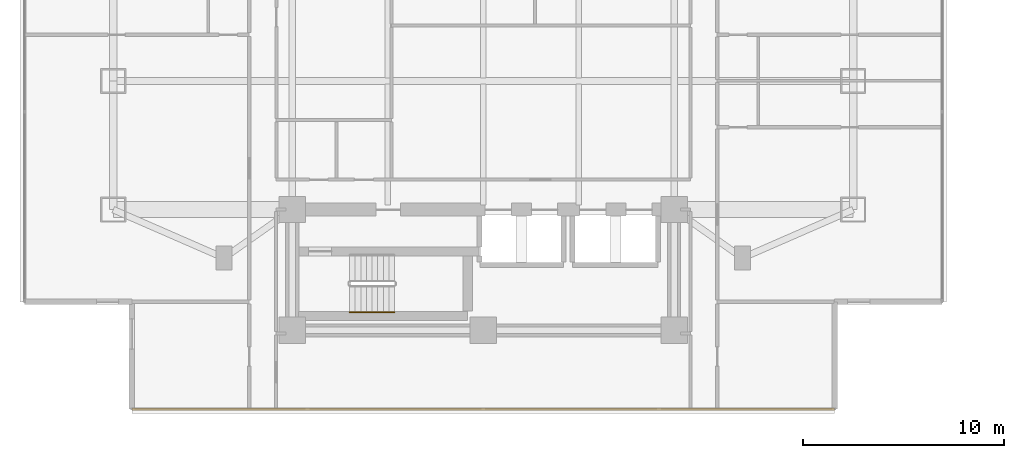
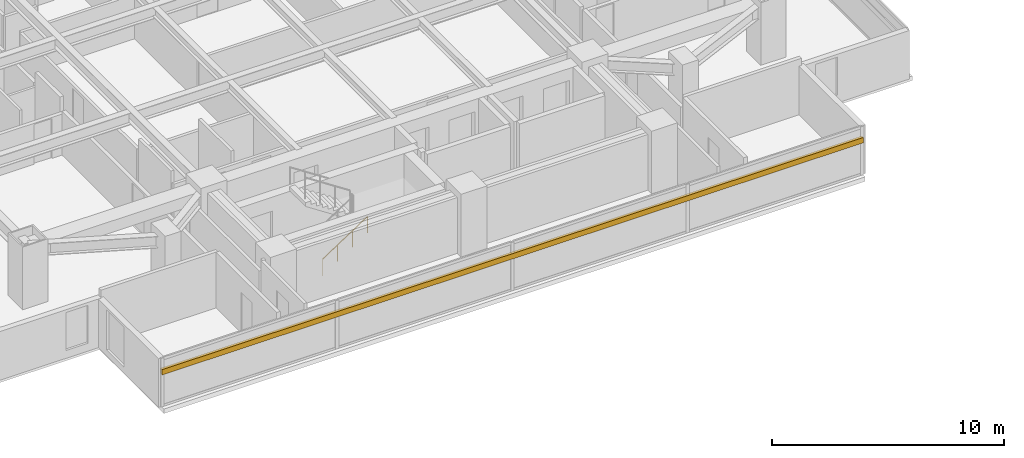
# One storey, part 22 of 26: 1 railing, 1 shading device.
"""IFC4 building model written with IfcOpenShell, lengths in metres."""

from ifc_helpers import new_model, si_unit, direction, frame, origin, origin_2d, place, context, subcontext, project, spatial, rectangle, circle, extrude, material, material_profile, profile_set, type_object, element, save


model = new_model("IFC4")

# Units and contexts
model_context = context("Model", 3, precision=1e-05, world=origin(), true_north=direction((0.0, 1.0)))
body_context = subcontext(model_context, "Body", "Model", "MODEL_VIEW")
ifc_project = project(units=[si_unit("LENGTHUNIT", "METRE"), si_unit("AREAUNIT", "SQUARE_METRE"), si_unit("VOLUMEUNIT", "CUBIC_METRE"), si_unit("PLANEANGLEUNIT", "RADIAN"), si_unit("MASSUNIT", "GRAM", prefix="KILO")], contexts=[model_context])

# Site, building, storey
site_placement = place(None, origin())
site = spatial("IfcSite", under=ifc_project, at=site_placement, CompositionType="ELEMENT")
building_placement = place(site_placement, origin())
building = spatial("IfcBuilding", under=site, at=building_placement, Name="Mirazonda Arch Towers", CompositionType="ELEMENT")
storey_placement = place(building_placement, frame((0.0, 0.0, 78.5)))
storey = spatial("IfcBuildingStorey", under=building, at=storey_placement, Name="L22", CompositionType="ELEMENT", Elevation=78.5)

# Shading device
ifc_material_1 = material(Name="Kiln-Fired Architectural Terracotta", Category="masonry")
ifc_material_profile = material_profile(ifc_material_1, rectangle(XDim=0.139892578125, YDim=0.280029296875, at=origin_2d()), Name="TERRA-BAG-140x280")
ifc_profile_set = profile_set([ifc_material_profile], Name="Kiln-Fired Architectural Terracotta")
shading_device_type = type_object("IfcShadingDeviceType", Name="BAGUETTE-3", PredefinedType="USERDEFINED", material=ifc_profile_set)
shading_device_placement = place(storey_placement, frame((37.97998046875, 8.47607421875, 1.84326171875), z_axis=(-1.0, 0.0, 0.0), x_axis=(0.0, -1.0, 0.0)))
element("IfcShadingDevice", 1, at=shading_device_placement, inside=storey, type_object=shading_device_type, Name="L22 Glazed Terracotta Sun-Screen Baguette CW-L22-T1-S", ObjectType="BAGUETTE", PredefinedType="USERDEFINED", context=body_context, shape_type="SweptSolid", body=[
    extrude(rectangle(XDim=0.139892578125, YDim=0.280029296875, at=origin_2d()), origin(), (0.0, 0.0, 1.0), 34.9599609375),
])

# Railing
ifc_material_2 = material(Name="Architectural Brushed Steel S355", Category="steel")
railing_type = type_object("IfcRailingType", Name="HANDRAIL-915", PredefinedType="HANDRAIL", material=ifc_material_2)
railing_placement = place(storey_placement, frame((13.85009765625, 13.300048828125, 0.183349609375)))
element("IfcRailing", 2, at=railing_placement, inside=storey, type_object=railing_type, Name="L22 ST-T1S stair handrail 1", PredefinedType="HANDRAIL", context=body_context, shape_type="SweptSolid", body=[
    extrude(circle(Radius=0.02392578125, at=origin_2d()), frame((0.0, 0.0, 0.8759765625), z_axis=(0.836636935527, 0.0, 0.547757827979), x_axis=(0.0, 1.0, 0.0)), (0.0, 0.0, 1.0), 2.677490234375),
    extrude(circle(Radius=0.02099609375, at=origin_2d()), origin(), (0.0, 0.0, 1.0), 0.851806640625),
    extrude(circle(Radius=0.02099609375, at=origin_2d()), frame((0.74658203125, 0.0, 0.48876953125)), (0.0, 0.0, 1.0), 0.851806640625),
    extrude(circle(Radius=0.02099609375, at=origin_2d()), frame((1.493408203125, 0.0, 0.977783203125)), (0.0, 0.0, 1.0), 0.851806640625),
    extrude(circle(Radius=0.02099609375, at=origin_2d()), frame((2.239990234375, 0.0, 1.466552734375)), (0.0, 0.0, 1.0), 0.851806640625),
])

save(model, "model.ifc")
